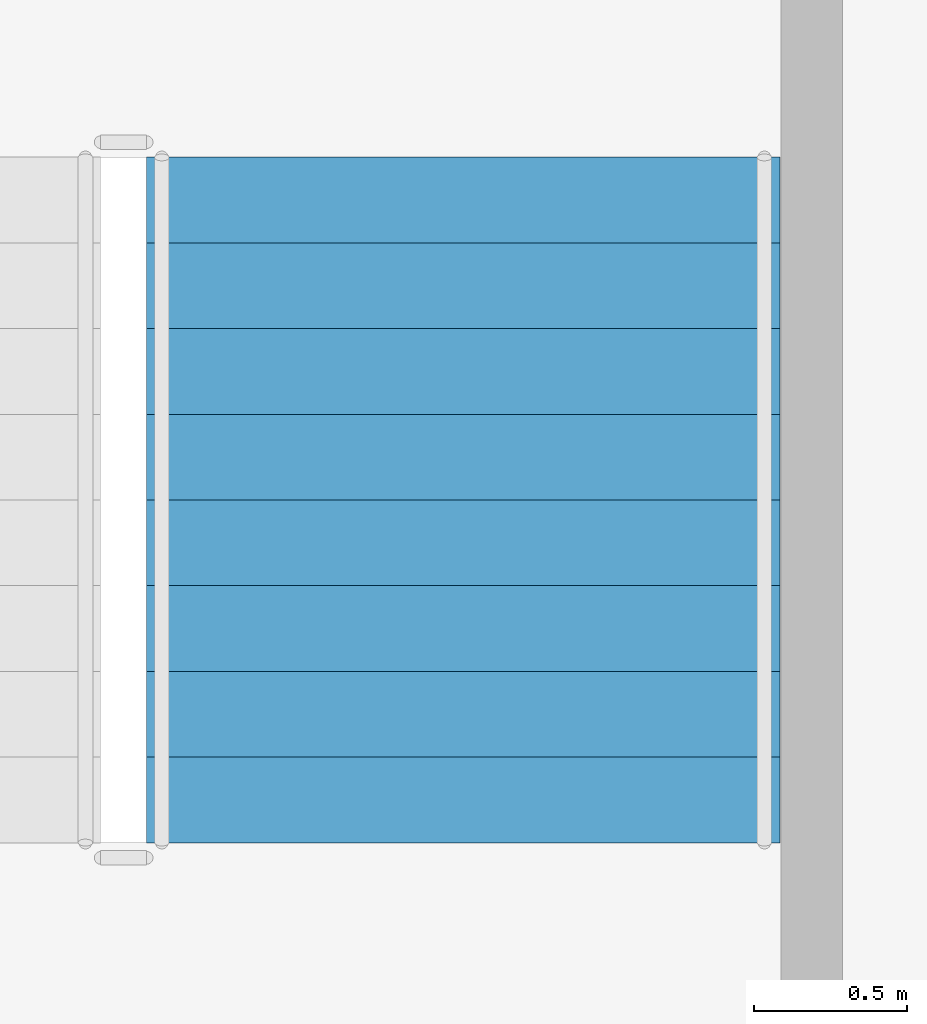
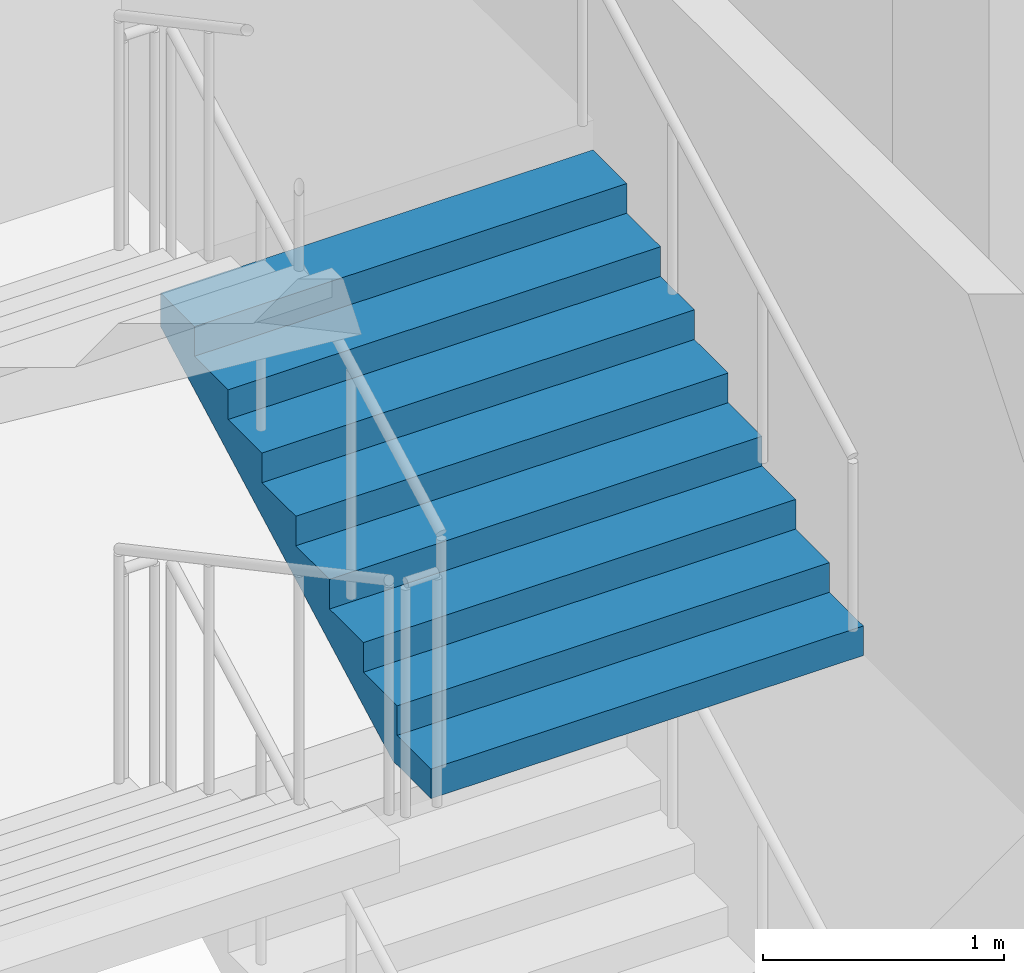
# One storey, part 21 of 26: 1 stair flight, 1 element without a shape of its own.
"""IFC4 building model written with IfcOpenShell, lengths in metres."""

from ifc_helpers import new_model, si_unit, direction, frame, origin, place, context, subcontext, project, spatial, polygons, material, type_object, element, aggregate, save


model = new_model("IFC4")

# Units and contexts
model_context = context("Model", 3, precision=1e-05, world=origin(), true_north=direction((0.0, 1.0)))
body_context = subcontext(model_context, "Body", "Model", "MODEL_VIEW")
ifc_project = project(units=[si_unit("LENGTHUNIT", "METRE"), si_unit("AREAUNIT", "SQUARE_METRE"), si_unit("VOLUMEUNIT", "CUBIC_METRE"), si_unit("PLANEANGLEUNIT", "RADIAN"), si_unit("MASSUNIT", "GRAM", prefix="KILO")], contexts=[model_context])

# Site, building, storey
site_placement = place(None, origin())
site = spatial("IfcSite", under=ifc_project, at=site_placement, CompositionType="ELEMENT")
building_placement = place(site_placement, origin())
building = spatial("IfcBuilding", under=site, at=building_placement, Name="Caravel Reach Hotel and Residences", CompositionType="ELEMENT")
storey_placement = place(building_placement, frame((0.0, 0.0, 12.0)))
storey = spatial("IfcBuildingStorey", under=building, at=storey_placement, Name="L02", CompositionType="ELEMENT", Elevation=12.0)

# Stair, stair flight
ifc_material_1 = material(Name="Concrete C40", Category="concrete")
stair_type = type_object("IfcStairType", Name="Core stair", PredefinedType="HALF_TURN_STAIR", material=ifc_material_1)
stair_placement = place(storey_placement, origin())
stair = element("IfcStair", 1, at=stair_placement, inside=storey, type_object=stair_type, Name="L02 Exit stair P6", PredefinedType="HALF_TURN_STAIR")
ifc_material_2 = material(Name="Concrete C40", Category="concrete")
stair_flight_type = type_object("IfcStairFlightType", Name="Core stair flight", PredefinedType="STRAIGHT", material=ifc_material_2)
stair_flight_placement = place(storey_placement, frame((64.360107421875, 42.68994140625, 2.699951171875), z_axis=(0.0, 0.0, 1.0), x_axis=(0.0, 1.0, 0.0)))
stair_flight = element("IfcStairFlight", 2, at=stair_flight_placement, type_object=stair_flight_type, Name="ST-P6 flight 3", NumberOfRisers=9, NumberOfTreads=8, PredefinedType="STRAIGHT", RiserHeight=0.15, TreadLength=0.28, context=body_context, shape_type="Tessellation", body=[
    polygons([(0.3174408016601864, 1.0350341796875, 0.0), (0.3174408016601864, 0.6900227864583333, 0.0), (0.3174408016601864, 0.34501139322916663, 0.0), (0.3174408016601864, 0.0, 0.0), (0.3174408016601864, -0.34501139322916674, 0.0), (0.3174408016601864, -0.6900227864583333, 0.0), (0.3174408016601864, -1.0350341796875, 0.0), (2.241, 1.0350341796875, 1.029942427682043), (2.241, 0.6900227864583333, 1.029942427682043), (2.241, 0.34501139322916663, 1.029942427682043), (2.241, 0.0, 1.029942427682043), (2.241, -0.34501139322916674, 1.029942427682043), (2.241, -0.6900227864583333, 1.029942427682043), (2.241, -1.0350341796875, 1.029942427682043), (2.241, 1.0350341796875, 1.2), (2.241, 0.6900227864583333, 1.2), (2.241, 0.34501139322916663, 1.2), (2.241, 0.0, 1.2), (2.241, -0.34501139322916674, 1.2), (2.241, -0.6900227864583333, 1.2), (2.241, -1.0350341796875, 1.2), (1.9600000000000002, 1.0350341796875, 1.2), (1.9600000000000002, 0.6900227864583333, 1.2), (1.9600000000000002, 0.34501139322916663, 1.2), (1.9600000000000002, 0.0, 1.2), (1.9600000000000002, -0.34501139322916674, 1.2), (1.9600000000000002, -0.6900227864583333, 1.2), (1.9600000000000002, -1.0350341796875, 1.2), (1.9600000000000002, 1.0350341796875, 1.05), (1.9600000000000002, 0.6900227864583333, 1.05), (1.9600000000000002, 0.34501139322916663, 1.05), (1.9600000000000002, 0.0, 1.05), (1.9600000000000002, -0.34501139322916674, 1.05), (1.9600000000000002, -0.6900227864583333, 1.05), (1.9600000000000002, -1.0350341796875, 1.05), (1.6800000000000002, 1.0350341796875, 1.05), (1.6800000000000002, 0.6900227864583333, 1.05), (1.6800000000000002, 0.34501139322916663, 1.05), (1.6800000000000002, 0.0, 1.05), (1.6800000000000002, -0.34501139322916674, 1.05), (1.6800000000000002, -0.6900227864583333, 1.05), (1.6800000000000002, -1.0350341796875, 1.05), (1.6800000000000002, 1.0350341796875, 0.8999999999999999), (1.6800000000000002, 0.6900227864583333, 0.8999999999999999), (1.6800000000000002, 0.34501139322916663, 0.8999999999999999), (1.6800000000000002, 0.0, 0.8999999999999999), (1.6800000000000002, -0.34501139322916674, 0.8999999999999999), (1.6800000000000002, -0.6900227864583333, 0.8999999999999999), (1.6800000000000002, -1.0350341796875, 0.8999999999999999), (1.4000000000000001, 1.0350341796875, 0.8999999999999999), (1.4000000000000001, 0.6900227864583333, 0.8999999999999999), (1.4000000000000001, 0.34501139322916663, 0.8999999999999999), (1.4000000000000001, 0.0, 0.8999999999999999), (1.4000000000000001, -0.34501139322916674, 0.8999999999999999), (1.4000000000000001, -0.6900227864583333, 0.8999999999999999), (1.4000000000000001, -1.0350341796875, 0.8999999999999999), (1.4000000000000001, 1.0350341796875, 0.75), (1.4000000000000001, 0.6900227864583333, 0.75), (1.4000000000000001, 0.34501139322916663, 0.75), (1.4000000000000001, 0.0, 0.75), (1.4000000000000001, -0.34501139322916674, 0.75), (1.4000000000000001, -0.6900227864583333, 0.75), (1.4000000000000001, -1.0350341796875, 0.75), (1.12, 1.0350341796875, 0.75), (1.12, 0.6900227864583333, 0.75), (1.12, 0.34501139322916663, 0.75), (1.12, 0.0, 0.75), (1.12, -0.34501139322916674, 0.75), (1.12, -0.6900227864583333, 0.75), (1.12, -1.0350341796875, 0.75), (1.12, 1.0350341796875, 0.6), (1.12, 0.6900227864583333, 0.6), (1.12, 0.34501139322916663, 0.6), (1.12, 0.0, 0.6), (1.12, -0.34501139322916674, 0.6), (1.12, -0.6900227864583333, 0.6), (1.12, -1.0350341796875, 0.6), (0.8400000000000001, 1.0350341796875, 0.6), (0.8400000000000001, 0.6900227864583333, 0.6), (0.8400000000000001, 0.34501139322916663, 0.6), (0.8400000000000001, 0.0, 0.6), (0.8400000000000001, -0.34501139322916674, 0.6), (0.8400000000000001, -0.6900227864583333, 0.6), (0.8400000000000001, -1.0350341796875, 0.6), (0.8400000000000001, 1.0350341796875, 0.44999999999999996), (0.8400000000000001, 0.6900227864583333, 0.44999999999999996), (0.8400000000000001, 0.34501139322916663, 0.44999999999999996), (0.8400000000000001, 0.0, 0.44999999999999996), (0.8400000000000001, -0.34501139322916674, 0.44999999999999996), (0.8400000000000001, -0.6900227864583333, 0.44999999999999996), (0.8400000000000001, -1.0350341796875, 0.44999999999999996), (0.56, 1.0350341796875, 0.44999999999999996), (0.56, 0.6900227864583333, 0.44999999999999996), (0.56, 0.34501139322916663, 0.44999999999999996), (0.56, 0.0, 0.44999999999999996), (0.56, -0.34501139322916674, 0.44999999999999996), (0.56, -0.6900227864583333, 0.44999999999999996), (0.56, -1.0350341796875, 0.44999999999999996), (0.56, 1.0350341796875, 0.3), (0.56, 0.6900227864583333, 0.3), (0.56, 0.34501139322916663, 0.3), (0.56, 0.0, 0.3), (0.56, -0.34501139322916674, 0.3), (0.56, -0.6900227864583333, 0.3), (0.56, -1.0350341796875, 0.3), (0.28, 1.0350341796875, 0.3), (0.28, 0.6900227864583333, 0.3), (0.28, 0.34501139322916663, 0.3), (0.28, 0.0, 0.3), (0.28, -0.34501139322916674, 0.3), (0.28, -0.6900227864583333, 0.3), (0.28, -1.0350341796875, 0.3), (0.28, 1.0350341796875, 0.15), (0.28, 0.6900227864583333, 0.15), (0.28, 0.34501139322916663, 0.15), (0.28, 0.0, 0.15), (0.28, -0.34501139322916674, 0.15), (0.28, -0.6900227864583333, 0.15), (0.28, -1.0350341796875, 0.15), (-0.001, 1.0350341796875, 0.15), (-0.001, 0.6900227864583333, 0.15), (-0.001, 0.34501139322916663, 0.15), (-0.001, 0.0, 0.15), (-0.001, -0.34501139322916674, 0.15), (-0.001, -0.6900227864583333, 0.15), (-0.001, -1.0350341796875, 0.15), (-0.001, 1.0350341796875, 0.0), (-0.001, 0.6900227864583333, 0.0), (-0.001, 0.34501139322916663, 0.0), (-0.001, 0.0, 0.0), (-0.001, -0.34501139322916674, 0.0), (-0.001, -0.6900227864583333, 0.0), (-0.001, -1.0350341796875, 0.0)], [[[127, 120, 113, 106, 99, 92, 85, 78, 71, 64, 57, 50, 43, 36, 29, 22, 15, 8, 1]], [[7, 14, 21, 28, 35, 42, 49, 56, 63, 70, 77, 84, 91, 98, 105, 112, 119, 126, 133]], [[1, 8, 9, 2]], [[2, 9, 10, 3]], [[3, 10, 11, 4]], [[4, 11, 12, 5]], [[5, 12, 13, 6]], [[6, 13, 14, 7]], [[8, 15, 16, 9]], [[9, 16, 17, 10]], [[10, 17, 18, 11]], [[11, 18, 19, 12]], [[12, 19, 20, 13]], [[13, 20, 21, 14]], [[15, 22, 23, 16]], [[16, 23, 24, 17]], [[17, 24, 25, 18]], [[18, 25, 26, 19]], [[19, 26, 27, 20]], [[20, 27, 28, 21]], [[22, 29, 30, 23]], [[23, 30, 31, 24]], [[24, 31, 32, 25]], [[25, 32, 33, 26]], [[26, 33, 34, 27]], [[27, 34, 35, 28]], [[29, 36, 37, 30]], [[30, 37, 38, 31]], [[31, 38, 39, 32]], [[32, 39, 40, 33]], [[33, 40, 41, 34]], [[34, 41, 42, 35]], [[36, 43, 44, 37]], [[37, 44, 45, 38]], [[38, 45, 46, 39]], [[39, 46, 47, 40]], [[40, 47, 48, 41]], [[41, 48, 49, 42]], [[43, 50, 51, 44]], [[44, 51, 52, 45]], [[45, 52, 53, 46]], [[46, 53, 54, 47]], [[47, 54, 55, 48]], [[48, 55, 56, 49]], [[50, 57, 58, 51]], [[51, 58, 59, 52]], [[52, 59, 60, 53]], [[53, 60, 61, 54]], [[54, 61, 62, 55]], [[55, 62, 63, 56]], [[57, 64, 65, 58]], [[58, 65, 66, 59]], [[59, 66, 67, 60]], [[60, 67, 68, 61]], [[61, 68, 69, 62]], [[62, 69, 70, 63]], [[64, 71, 72, 65]], [[65, 72, 73, 66]], [[66, 73, 74, 67]], [[67, 74, 75, 68]], [[68, 75, 76, 69]], [[69, 76, 77, 70]], [[71, 78, 79, 72]], [[72, 79, 80, 73]], [[73, 80, 81, 74]], [[74, 81, 82, 75]], [[75, 82, 83, 76]], [[76, 83, 84, 77]], [[78, 85, 86, 79]], [[79, 86, 87, 80]], [[80, 87, 88, 81]], [[81, 88, 89, 82]], [[82, 89, 90, 83]], [[83, 90, 91, 84]], [[85, 92, 93, 86]], [[86, 93, 94, 87]], [[87, 94, 95, 88]], [[88, 95, 96, 89]], [[89, 96, 97, 90]], [[90, 97, 98, 91]], [[92, 99, 100, 93]], [[93, 100, 101, 94]], [[94, 101, 102, 95]], [[95, 102, 103, 96]], [[96, 103, 104, 97]], [[97, 104, 105, 98]], [[99, 106, 107, 100]], [[100, 107, 108, 101]], [[101, 108, 109, 102]], [[102, 109, 110, 103]], [[103, 110, 111, 104]], [[104, 111, 112, 105]], [[106, 113, 114, 107]], [[107, 114, 115, 108]], [[108, 115, 116, 109]], [[109, 116, 117, 110]], [[110, 117, 118, 111]], [[111, 118, 119, 112]], [[113, 120, 121, 114]], [[114, 121, 122, 115]], [[115, 122, 123, 116]], [[116, 123, 124, 117]], [[117, 124, 125, 118]], [[118, 125, 126, 119]], [[120, 127, 128, 121]], [[121, 128, 129, 122]], [[122, 129, 130, 123]], [[123, 130, 131, 124]], [[124, 131, 132, 125]], [[125, 132, 133, 126]], [[127, 1, 2, 128]], [[128, 2, 3, 129]], [[129, 3, 4, 130]], [[130, 4, 5, 131]], [[131, 5, 6, 132]], [[132, 6, 7, 133]]], closed=True),
])
aggregate(stair, [stair_flight])

save(model, "model.ifc")
